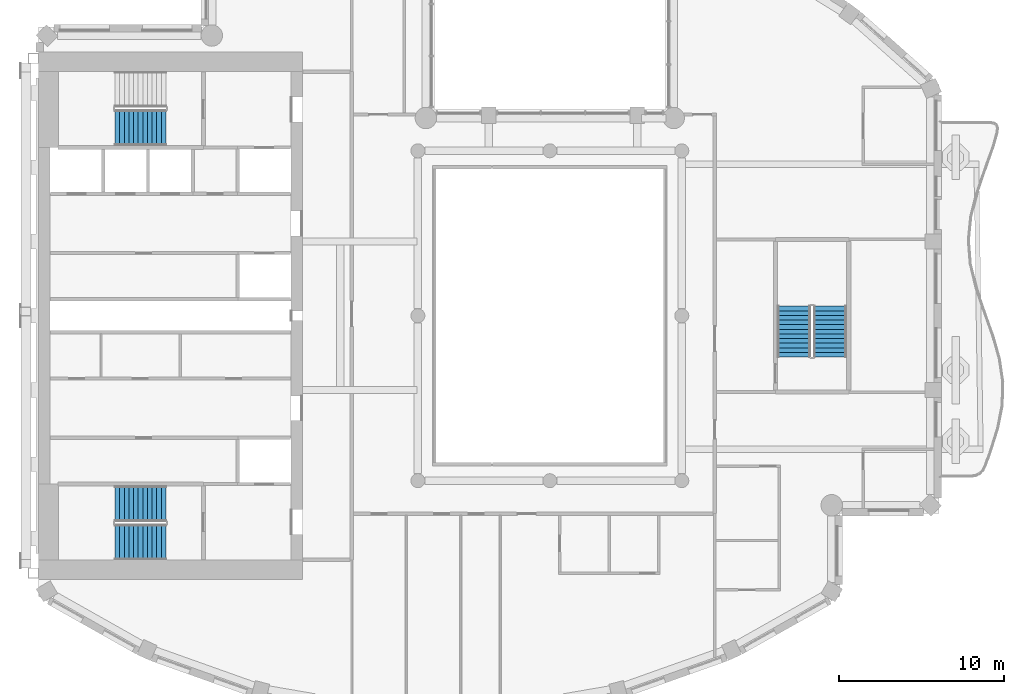
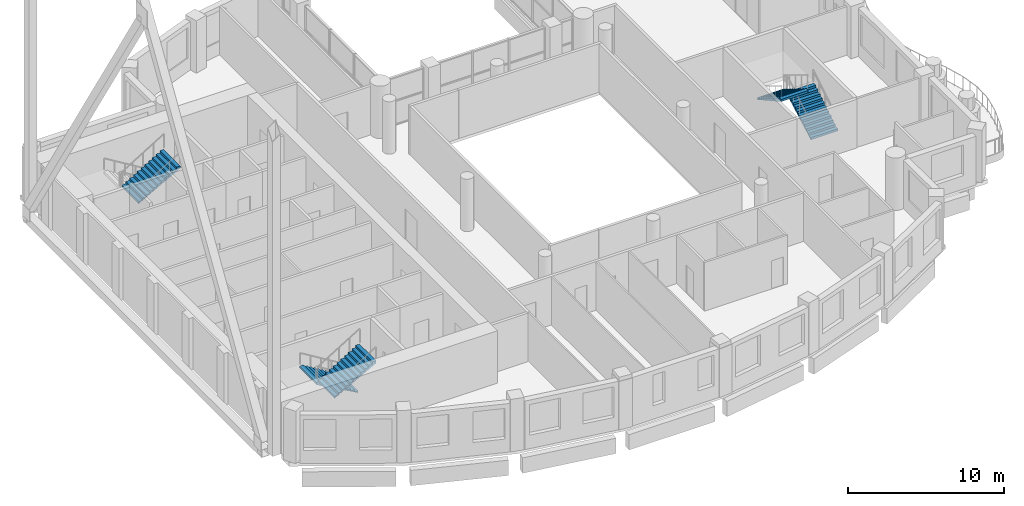
# One storey, part 12 of 18: 5 stair flights, 3 elements without a shape of their own.
"""IFC4 building model written with IfcOpenShell, lengths in metres."""

from ifc_helpers import new_model, si_unit, direction, frame, origin, place, context, subcontext, project, spatial, triangles, material, type_object, element, aggregate, save


model = new_model("IFC4")

# Units and contexts
model_context = context("Model", 3, precision=1e-05, world=origin(), true_north=direction((0.0, 1.0)))
body_context = subcontext(model_context, "Body", "Model", "MODEL_VIEW")
ifc_project = project(units=[si_unit("LENGTHUNIT", "METRE"), si_unit("AREAUNIT", "SQUARE_METRE"), si_unit("VOLUMEUNIT", "CUBIC_METRE"), si_unit("PLANEANGLEUNIT", "RADIAN"), si_unit("MASSUNIT", "GRAM", prefix="KILO")], contexts=[model_context])

# Site, building, storey
site_placement = place(None, origin())
site = spatial("IfcSite", under=ifc_project, at=site_placement, CompositionType="ELEMENT")
building_placement = place(site_placement, origin())
building = spatial("IfcBuilding", under=site, at=building_placement, Name="Cypress Arch Tower", CompositionType="ELEMENT")
storey_placement = place(building_placement, frame((0.0, 0.0, 288.5)))
storey = spatial("IfcBuildingStorey", under=building, at=storey_placement, Name="L65", CompositionType="ELEMENT", Elevation=288.5)

# Stair, stair flights
ifc_material_1 = material(Name="Concrete C40/50", Category="concrete")
stair_type_1 = type_object("IfcStairType", Name="Exit stair ES1708-200", PredefinedType="HALF_TURN_STAIR", material=ifc_material_1)
stair_1_placement = place(storey_placement, origin())
stair_1 = element("IfcStair", 1, at=stair_1_placement, inside=storey, type_object=stair_type_1, Name="L65 Exit stair C", PredefinedType="HALF_TURN_STAIR")
ifc_material_2 = material(Name="Concrete C40/50", Category="concrete")
stair_flight_type_1 = type_object("IfcStairFlightType", Name="Exit stair flight ES1708-200", PredefinedType="STRAIGHT", material=ifc_material_2)
stair_flight_1_placement = place(storey_placement, frame((18.0, -2.5, 0.0), z_axis=(0.0, 0.0, 1.0), x_axis=(0.0, 1.0, 0.0)))
stair_flight_1 = element("IfcStairFlight", 2, at=stair_flight_1_placement, type_object=stair_flight_type_1, Name="C flight 1", NumberOfRisers=12, NumberOfTreads=11, PredefinedType="STRAIGHT", RiserHeight=0.170833333, TreadLength=0.28, context=body_context, shape_type="Tessellation", body=[
    triangles([(0.0, -1.0, 0.0), (0.0, -1.0, 0.1708984375), (0.280029296875, -1.0, 0.1708984375), (0.280029296875, -1.0, 0.341552734375), (0.56005859375, -1.0, 0.341552734375), (0.56005859375, -1.0, 0.512451171875), (0.840087890625, -1.0, 0.512451171875), (0.840087890625, -1.0, 0.683349609375), (1.1201171875, -1.0, 0.683349609375), (1.1201171875, -1.0, 0.854248046875), (1.39990234375, -1.0, 0.854248046875), (1.39990234375, -1.0, 1.02490234375), (1.679931640625, -1.0, 1.02490234375), (1.679931640625, -1.0, 1.19580078125), (1.9599609375, -1.0, 1.19580078125), (1.9599609375, -1.0, 1.36669921875), (2.239990234375, -1.0, 1.36669921875), (2.239990234375, -1.0, 1.53759765625), (2.52001953125, -1.0, 1.53759765625), (2.52001953125, -1.0, 1.708251953125), (2.800048828125, -1.0, 1.708251953125), (2.800048828125, -1.0, 1.879150390625), (3.080078125, -1.0, 1.879150390625), (3.080078125, -1.0, 1.70361328125), (3.080078125, 1.0, 1.70361328125), (3.080078125, 1.0, 1.879150390625), (2.800048828125, 1.0, 1.879150390625), (2.800048828125, 1.0, 1.708251953125), (2.52001953125, 1.0, 1.708251953125), (2.52001953125, 1.0, 1.53759765625), (2.239990234375, 1.0, 1.53759765625), (2.239990234375, 1.0, 1.36669921875), (1.9599609375, 1.0, 1.36669921875), (1.9599609375, 1.0, 1.19580078125), (1.679931640625, 1.0, 1.19580078125), (1.679931640625, 1.0, 1.02490234375), (1.39990234375, 1.0, 1.02490234375), (1.39990234375, 1.0, 0.854248046875), (1.1201171875, 1.0, 0.854248046875), (1.1201171875, 1.0, 0.683349609375), (0.840087890625, 1.0, 0.683349609375), (0.840087890625, 1.0, 0.512451171875), (0.56005859375, 1.0, 0.512451171875), (0.56005859375, 1.0, 0.341552734375), (0.280029296875, 1.0, 0.341552734375), (0.280029296875, 1.0, 0.1708984375), (0.0, 1.0, 0.1708984375), (0.0, 1.0, 0.0), (3.080078125, 0.0, 1.879150390625), (3.080078125, 0.0, 1.70361328125), (2.800048828125, 0.0, 1.879150390625), (2.800048828125, 0.0, 1.708251953125), (2.52001953125, 0.0, 1.708251953125), (2.52001953125, 0.0, 1.53759765625), (2.239990234375, 0.0, 1.53759765625), (2.239990234375, 0.0, 1.36669921875), (1.9599609375, 0.0, 1.36669921875), (1.9599609375, 0.0, 1.19580078125), (1.679931640625, 0.0, 1.19580078125), (1.679931640625, 0.0, 1.02490234375), (1.39990234375, 0.0, 1.02490234375), (1.39990234375, 0.0, 0.854248046875), (1.1201171875, 0.0, 0.854248046875), (1.1201171875, 0.0, 0.683349609375), (0.840087890625, 0.0, 0.683349609375), (0.840087890625, 0.0, 0.512451171875), (0.56005859375, 0.0, 0.512451171875), (0.56005859375, 0.0, 0.341552734375), (0.280029296875, 0.0, 0.341552734375), (0.280029296875, 0.0, 0.1708984375), (0.0, 0.0, 0.1708984375), (0.0, 0.0, 0.0)], [[24, 23, 22], [11, 10, 9], [19, 18, 17], [17, 16, 15], [15, 14, 13], [9, 8, 7], [7, 6, 5], [3, 2, 1], [21, 20, 19], [13, 12, 11], [5, 4, 3], [24, 22, 21], [24, 21, 19], [24, 19, 17], [24, 17, 15], [24, 15, 13], [24, 13, 11], [24, 11, 9], [24, 9, 7], [24, 7, 5], [1, 24, 5], [5, 3, 1], [25, 27, 26], [38, 40, 39], [30, 32, 31], [32, 34, 33], [34, 36, 35], [40, 42, 41], [42, 44, 43], [46, 48, 47], [28, 30, 29], [36, 38, 37], [44, 46, 45], [25, 28, 27], [25, 30, 28], [25, 32, 30], [25, 34, 32], [25, 36, 34], [25, 38, 36], [25, 40, 38], [25, 42, 40], [25, 44, 42], [48, 44, 25], [44, 48, 46], [50, 49, 23], [50, 23, 24], [25, 26, 49], [25, 49, 50], [49, 51, 22], [49, 22, 23], [26, 27, 51], [26, 51, 49], [51, 52, 21], [51, 21, 22], [27, 28, 52], [27, 52, 51], [52, 53, 20], [52, 20, 21], [28, 29, 53], [28, 53, 52], [53, 54, 19], [53, 19, 20], [29, 30, 54], [29, 54, 53], [54, 55, 18], [54, 18, 19], [30, 31, 55], [30, 55, 54], [55, 56, 17], [55, 17, 18], [31, 32, 56], [31, 56, 55], [56, 57, 16], [56, 16, 17], [32, 33, 57], [32, 57, 56], [57, 58, 15], [57, 15, 16], [33, 34, 58], [33, 58, 57], [58, 59, 14], [58, 14, 15], [34, 35, 59], [34, 59, 58], [59, 60, 13], [59, 13, 14], [35, 36, 60], [35, 60, 59], [60, 61, 12], [60, 12, 13], [36, 37, 61], [36, 61, 60], [61, 62, 11], [61, 11, 12], [37, 38, 62], [37, 62, 61], [62, 63, 10], [62, 10, 11], [38, 39, 63], [38, 63, 62], [63, 64, 9], [63, 9, 10], [39, 40, 64], [39, 64, 63], [64, 65, 8], [64, 8, 9], [40, 41, 65], [40, 65, 64], [65, 66, 7], [65, 7, 8], [41, 42, 66], [41, 66, 65], [66, 67, 6], [66, 6, 7], [42, 43, 67], [42, 67, 66], [67, 68, 5], [67, 5, 6], [43, 44, 68], [43, 68, 67], [68, 69, 4], [68, 4, 5], [44, 45, 69], [44, 69, 68], [69, 70, 3], [69, 3, 4], [45, 46, 70], [45, 70, 69], [70, 71, 2], [70, 2, 3], [46, 47, 71], [46, 71, 70], [71, 72, 1], [71, 1, 2], [47, 48, 72], [47, 72, 71], [72, 50, 24], [72, 24, 1], [48, 25, 50], [48, 50, 72]], closed=True),
])
stair_flight_2_placement = place(storey_placement, frame((15.800048828125, 0.580078125, 2.050048828125), z_axis=(0.0, 0.0, 1.0), x_axis=(0.0, -1.0, 0.0)))
stair_flight_2 = element("IfcStairFlight", 3, at=stair_flight_2_placement, type_object=stair_flight_type_1, Name="C flight 2", NumberOfRisers=12, NumberOfTreads=11, PredefinedType="STRAIGHT", RiserHeight=0.170833333, TreadLength=0.28, context=body_context, shape_type="Tessellation", body=[
    triangles([(0.0, -1.0, 0.0), (0.0, -1.0, 0.1708984375), (0.280029296875, -1.0, 0.1708984375), (0.280029296875, -1.0, 0.341552734375), (0.56005859375, -1.0, 0.341552734375), (0.56005859375, -1.0, 0.512451171875), (0.840087890625, -1.0, 0.512451171875), (0.840087890625, -1.0, 0.683349609375), (1.1201171875, -1.0, 0.683349609375), (1.1201171875, -1.0, 0.854248046875), (1.39990234375, -1.0, 0.854248046875), (1.39990234375, -1.0, 1.02490234375), (1.679931640625, -1.0, 1.02490234375), (1.679931640625, -1.0, 1.19580078125), (1.9599609375, -1.0, 1.19580078125), (1.9599609375, -1.0, 1.36669921875), (2.239990234375, -1.0, 1.36669921875), (2.239990234375, -1.0, 1.53759765625), (2.52001953125, -1.0, 1.53759765625), (2.52001953125, -1.0, 1.708251953125), (2.800048828125, -1.0, 1.708251953125), (2.800048828125, -1.0, 1.879150390625), (3.080078125, -1.0, 1.879150390625), (3.080078125, -1.0, 1.70361328125), (3.080078125, 1.0, 1.70361328125), (3.080078125, 1.0, 1.879150390625), (2.800048828125, 1.0, 1.879150390625), (2.800048828125, 1.0, 1.708251953125), (2.52001953125, 1.0, 1.708251953125), (2.52001953125, 1.0, 1.53759765625), (2.239990234375, 1.0, 1.53759765625), (2.239990234375, 1.0, 1.36669921875), (1.9599609375, 1.0, 1.36669921875), (1.9599609375, 1.0, 1.19580078125), (1.679931640625, 1.0, 1.19580078125), (1.679931640625, 1.0, 1.02490234375), (1.39990234375, 1.0, 1.02490234375), (1.39990234375, 1.0, 0.854248046875), (1.1201171875, 1.0, 0.854248046875), (1.1201171875, 1.0, 0.683349609375), (0.840087890625, 1.0, 0.683349609375), (0.840087890625, 1.0, 0.512451171875), (0.56005859375, 1.0, 0.512451171875), (0.56005859375, 1.0, 0.341552734375), (0.280029296875, 1.0, 0.341552734375), (0.280029296875, 1.0, 0.1708984375), (0.0, 1.0, 0.1708984375), (0.0, 1.0, 0.0), (3.080078125, 0.0, 1.879150390625), (3.080078125, 0.0, 1.70361328125), (2.800048828125, 0.0, 1.879150390625), (2.800048828125, 0.0, 1.708251953125), (2.52001953125, 0.0, 1.708251953125), (2.52001953125, 0.0, 1.53759765625), (2.239990234375, 0.0, 1.53759765625), (2.239990234375, 0.0, 1.36669921875), (1.9599609375, 0.0, 1.36669921875), (1.9599609375, 0.0, 1.19580078125), (1.679931640625, 0.0, 1.19580078125), (1.679931640625, 0.0, 1.02490234375), (1.39990234375, 0.0, 1.02490234375), (1.39990234375, 0.0, 0.854248046875), (1.1201171875, 0.0, 0.854248046875), (1.1201171875, 0.0, 0.683349609375), (0.840087890625, 0.0, 0.683349609375), (0.840087890625, 0.0, 0.512451171875), (0.56005859375, 0.0, 0.512451171875), (0.56005859375, 0.0, 0.341552734375), (0.280029296875, 0.0, 0.341552734375), (0.280029296875, 0.0, 0.1708984375), (0.0, 0.0, 0.1708984375), (0.0, 0.0, 0.0)], [[24, 23, 22], [11, 10, 9], [19, 18, 17], [17, 16, 15], [15, 14, 13], [9, 8, 7], [7, 6, 5], [3, 2, 1], [21, 20, 19], [13, 12, 11], [5, 4, 3], [24, 22, 21], [24, 21, 19], [24, 19, 17], [24, 17, 15], [24, 15, 13], [24, 13, 11], [24, 11, 9], [24, 9, 7], [24, 7, 5], [1, 24, 5], [5, 3, 1], [25, 27, 26], [38, 40, 39], [30, 32, 31], [32, 34, 33], [34, 36, 35], [40, 42, 41], [42, 44, 43], [46, 48, 47], [28, 30, 29], [36, 38, 37], [44, 46, 45], [25, 28, 27], [25, 30, 28], [25, 32, 30], [25, 34, 32], [25, 36, 34], [25, 38, 36], [25, 40, 38], [25, 42, 40], [25, 44, 42], [48, 44, 25], [44, 48, 46], [50, 49, 23], [50, 23, 24], [25, 26, 49], [25, 49, 50], [49, 51, 22], [49, 22, 23], [26, 27, 51], [26, 51, 49], [51, 52, 21], [51, 21, 22], [27, 28, 52], [27, 52, 51], [52, 53, 20], [52, 20, 21], [28, 29, 53], [28, 53, 52], [53, 54, 19], [53, 19, 20], [29, 30, 54], [29, 54, 53], [54, 55, 18], [54, 18, 19], [30, 31, 55], [30, 55, 54], [55, 56, 17], [55, 17, 18], [31, 32, 56], [31, 56, 55], [56, 57, 16], [56, 16, 17], [32, 33, 57], [32, 57, 56], [57, 58, 15], [57, 15, 16], [33, 34, 58], [33, 58, 57], [58, 59, 14], [58, 14, 15], [34, 35, 59], [34, 59, 58], [59, 60, 13], [59, 13, 14], [35, 36, 60], [35, 60, 59], [60, 61, 12], [60, 12, 13], [36, 37, 61], [36, 61, 60], [61, 62, 11], [61, 11, 12], [37, 38, 62], [37, 62, 61], [62, 63, 10], [62, 10, 11], [38, 39, 63], [38, 63, 62], [63, 64, 9], [63, 9, 10], [39, 40, 64], [39, 64, 63], [64, 65, 8], [64, 8, 9], [40, 41, 65], [40, 65, 64], [65, 66, 7], [65, 7, 8], [41, 42, 66], [41, 66, 65], [66, 67, 6], [66, 6, 7], [42, 43, 67], [42, 67, 66], [67, 68, 5], [67, 5, 6], [43, 44, 68], [43, 68, 67], [68, 69, 4], [68, 4, 5], [44, 45, 69], [44, 69, 68], [69, 70, 3], [69, 3, 4], [45, 46, 70], [45, 70, 69], [70, 71, 2], [70, 2, 3], [46, 47, 71], [46, 71, 70], [71, 72, 1], [71, 1, 2], [47, 48, 72], [47, 72, 71], [72, 50, 24], [72, 24, 1], [48, 25, 50], [48, 50, 72]], closed=True),
])
aggregate(stair_1, [stair_flight_1, stair_flight_2])

ifc_material_3 = material(Name="Concrete C40/50", Category="concrete")
stair_type_2 = type_object("IfcStairType", Name="Exit stair ES1708-215", PredefinedType="HALF_TURN_STAIR", material=ifc_material_3)
stair_2_placement = place(storey_placement, origin())
stair_2 = element("IfcStair", 4, at=stair_2_placement, inside=storey, type_object=stair_type_2, Name="L65 Exit stair A", PredefinedType="HALF_TURN_STAIR")
ifc_material_4 = material(Name="Concrete C40/50", Category="concrete")
stair_flight_type_2 = type_object("IfcStairFlightType", Name="Exit stair flight ES1708-215", PredefinedType="STRAIGHT", material=ifc_material_4)
stair_flight_3_placement = place(storey_placement, frame((-22.27490234375, -11.39990234375, 0.0), z_axis=(0.0, 0.0, 1.0), x_axis=(-1.0, 0.0, 0.0)))
stair_flight_3 = element("IfcStairFlight", 5, at=stair_flight_3_placement, type_object=stair_flight_type_2, Name="A flight 1", NumberOfRisers=12, NumberOfTreads=11, PredefinedType="STRAIGHT", RiserHeight=0.170833333, TreadLength=0.28, context=body_context, shape_type="Tessellation", body=[
    triangles([(0.0, -1.074951171875, 0.0), (0.000244140625, -1.074951171875, 0.01904296875), (0.000244140625, -1.074951171875, 0.0380859375), (0.00048828125, -1.074951171875, 0.056884765625), (0.00048828125, -1.074951171875, 0.075927734375), (0.00048828125, -1.074951171875, 0.094970703125), (0.00048828125, -1.074951171875, 0.114013671875), (0.000244140625, -1.074951171875, 0.1328125), (0.000244140625, -1.074951171875, 0.15185546875), (0.0, -1.074951171875, 0.1708984375), (0.280029296875, -1.074951171875, 0.1708984375), (0.280029296875, -1.074951171875, 0.341552734375), (0.56005859375, -1.074951171875, 0.341552734375), (0.56005859375, -1.074951171875, 0.512451171875), (0.840087890625, -1.074951171875, 0.512451171875), (0.840087890625, -1.074951171875, 0.683349609375), (1.1201171875, -1.074951171875, 0.683349609375), (1.1201171875, -1.074951171875, 0.854248046875), (1.39990234375, -1.074951171875, 0.854248046875), (1.39990234375, -1.074951171875, 1.02490234375), (1.679931640625, -1.074951171875, 1.02490234375), (1.679931640625, -1.074951171875, 1.19580078125), (1.9599609375, -1.074951171875, 1.19580078125), (1.9599609375, -1.074951171875, 1.36669921875), (2.239990234375, -1.074951171875, 1.36669921875), (2.239990234375, -1.074951171875, 1.53759765625), (2.52001953125, -1.074951171875, 1.53759765625), (2.52001953125, -1.074951171875, 1.708251953125), (2.800048828125, -1.074951171875, 1.708251953125), (2.800048828125, -1.074951171875, 1.879150390625), (3.080078125, -1.074951171875, 1.879150390625), (3.079833984375, -1.074951171875, 1.859619140625), (3.079833984375, -1.074951171875, 1.840087890625), (3.07958984375, -1.074951171875, 1.820556640625), (3.07958984375, -1.074951171875, 1.801025390625), (3.07958984375, -1.074951171875, 1.78173828125), (3.07958984375, -1.074951171875, 1.76220703125), (3.079833984375, -1.074951171875, 1.74267578125), (3.079833984375, -1.074951171875, 1.72314453125), (3.080078125, -1.074951171875, 1.70361328125), (3.080078125, 1.074951171875, 1.70361328125), (3.079833984375, 1.074951171875, 1.72314453125), (3.079833984375, 1.074951171875, 1.74267578125), (3.07958984375, 1.074951171875, 1.76220703125), (3.07958984375, 1.074951171875, 1.78173828125), (3.07958984375, 1.074951171875, 1.801025390625), (3.07958984375, 1.074951171875, 1.820556640625), (3.079833984375, 1.074951171875, 1.840087890625), (3.079833984375, 1.074951171875, 1.859619140625), (3.080078125, 1.074951171875, 1.879150390625), (2.800048828125, 1.074951171875, 1.879150390625), (2.800048828125, 1.074951171875, 1.708251953125), (2.52001953125, 1.074951171875, 1.708251953125), (2.52001953125, 1.074951171875, 1.53759765625), (2.239990234375, 1.074951171875, 1.53759765625), (2.239990234375, 1.074951171875, 1.36669921875), (1.9599609375, 1.074951171875, 1.36669921875), (1.9599609375, 1.074951171875, 1.19580078125), (1.679931640625, 1.074951171875, 1.19580078125), (1.679931640625, 1.074951171875, 1.02490234375), (1.39990234375, 1.074951171875, 1.02490234375), (1.39990234375, 1.074951171875, 0.854248046875), (1.1201171875, 1.074951171875, 0.854248046875), (1.1201171875, 1.074951171875, 0.683349609375), (0.840087890625, 1.074951171875, 0.683349609375), (0.840087890625, 1.074951171875, 0.512451171875), (0.56005859375, 1.074951171875, 0.512451171875), (0.56005859375, 1.074951171875, 0.341552734375), (0.280029296875, 1.074951171875, 0.341552734375), (0.280029296875, 1.074951171875, 0.1708984375), (0.0, 1.074951171875, 0.1708984375), (0.000244140625, 1.074951171875, 0.15185546875), (0.000244140625, 1.074951171875, 0.1328125), (0.00048828125, 1.074951171875, 0.114013671875), (0.00048828125, 1.074951171875, 0.094970703125), (0.00048828125, 1.074951171875, 0.075927734375), (0.00048828125, 1.074951171875, 0.056884765625), (0.000244140625, 1.074951171875, 0.0380859375), (0.000244140625, 1.074951171875, 0.01904296875), (0.0, 1.074951171875, 0.0)], [[40, 39, 30], [39, 38, 30], [38, 37, 30], [37, 36, 30], [36, 35, 30], [35, 34, 30], [34, 33, 30], [33, 32, 30], [32, 31, 30], [19, 18, 17], [27, 26, 25], [25, 24, 23], [23, 22, 21], [17, 16, 15], [15, 14, 13], [10, 9, 11], [9, 8, 11], [8, 7, 11], [7, 6, 11], [6, 5, 11], [5, 4, 11], [4, 3, 11], [3, 2, 11], [2, 1, 11], [29, 28, 27], [21, 20, 19], [13, 12, 11], [40, 30, 29], [40, 29, 27], [40, 27, 25], [40, 25, 23], [40, 23, 21], [40, 21, 19], [40, 19, 17], [40, 17, 15], [40, 15, 13], [1, 40, 13], [13, 11, 1], [41, 51, 42], [42, 51, 43], [43, 51, 44], [44, 51, 45], [45, 51, 46], [46, 51, 47], [47, 51, 48], [48, 51, 49], [49, 51, 50], [62, 64, 63], [54, 56, 55], [56, 58, 57], [58, 60, 59], [64, 66, 65], [66, 68, 67], [71, 70, 72], [72, 70, 73], [73, 70, 74], [74, 70, 75], [75, 70, 76], [76, 70, 77], [77, 70, 78], [78, 70, 79], [79, 70, 80], [52, 54, 53], [60, 62, 61], [68, 70, 69], [41, 52, 51], [41, 54, 52], [41, 56, 54], [41, 58, 56], [41, 60, 58], [41, 62, 60], [41, 64, 62], [41, 66, 64], [41, 68, 66], [80, 68, 41], [68, 80, 70], [41, 42, 39], [41, 39, 40], [42, 43, 38], [42, 38, 39], [43, 44, 37], [43, 37, 38], [44, 45, 36], [44, 36, 37], [45, 46, 35], [45, 35, 36], [46, 47, 34], [46, 34, 35], [47, 48, 33], [47, 33, 34], [48, 49, 32], [48, 32, 33], [49, 50, 31], [49, 31, 32], [50, 51, 30], [50, 30, 31], [51, 52, 29], [51, 29, 30], [52, 53, 28], [52, 28, 29], [53, 54, 27], [53, 27, 28], [54, 55, 26], [54, 26, 27], [55, 56, 25], [55, 25, 26], [56, 57, 24], [56, 24, 25], [57, 58, 23], [57, 23, 24], [58, 59, 22], [58, 22, 23], [59, 60, 21], [59, 21, 22], [60, 61, 20], [60, 20, 21], [61, 62, 19], [61, 19, 20], [62, 63, 18], [62, 18, 19], [63, 64, 17], [63, 17, 18], [64, 65, 16], [64, 16, 17], [65, 66, 15], [65, 15, 16], [66, 67, 14], [66, 14, 15], [67, 68, 13], [67, 13, 14], [68, 69, 12], [68, 12, 13], [69, 70, 11], [69, 11, 12], [70, 71, 10], [70, 10, 11], [71, 72, 9], [71, 9, 10], [72, 73, 8], [72, 8, 9], [73, 74, 7], [73, 7, 8], [74, 75, 6], [74, 6, 7], [75, 76, 5], [75, 5, 6], [76, 77, 4], [76, 4, 5], [77, 78, 3], [77, 3, 4], [78, 79, 2], [78, 2, 3], [79, 80, 1], [79, 1, 2], [80, 41, 40], [80, 40, 1]], closed=True),
])
stair_flight_4_placement = place(storey_placement, frame((-25.35498046875, -13.72509765625, 2.050048828125), z_axis=(0.0, 0.0, 1.0), x_axis=(1.0, 0.0, 0.0)))
stair_flight_4 = element("IfcStairFlight", 6, at=stair_flight_4_placement, type_object=stair_flight_type_2, Name="A flight 2", NumberOfRisers=12, NumberOfTreads=11, PredefinedType="STRAIGHT", RiserHeight=0.170833333, TreadLength=0.28, context=body_context, shape_type="Tessellation", body=[
    triangles([(0.0, -1.074951171875, 0.0), (0.000244140625, -1.074951171875, 0.01904296875), (0.000244140625, -1.074951171875, 0.0380859375), (0.00048828125, -1.074951171875, 0.056884765625), (0.00048828125, -1.074951171875, 0.075927734375), (0.00048828125, -1.074951171875, 0.094970703125), (0.00048828125, -1.074951171875, 0.114013671875), (0.000244140625, -1.074951171875, 0.1328125), (0.000244140625, -1.074951171875, 0.15185546875), (0.0, -1.074951171875, 0.1708984375), (0.280029296875, -1.074951171875, 0.1708984375), (0.280029296875, -1.074951171875, 0.341552734375), (0.56005859375, -1.074951171875, 0.341552734375), (0.56005859375, -1.074951171875, 0.512451171875), (0.840087890625, -1.074951171875, 0.512451171875), (0.840087890625, -1.074951171875, 0.683349609375), (1.1201171875, -1.074951171875, 0.683349609375), (1.1201171875, -1.074951171875, 0.854248046875), (1.39990234375, -1.074951171875, 0.854248046875), (1.39990234375, -1.074951171875, 1.02490234375), (1.679931640625, -1.074951171875, 1.02490234375), (1.679931640625, -1.074951171875, 1.19580078125), (1.9599609375, -1.074951171875, 1.19580078125), (1.9599609375, -1.074951171875, 1.36669921875), (2.239990234375, -1.074951171875, 1.36669921875), (2.239990234375, -1.074951171875, 1.53759765625), (2.52001953125, -1.074951171875, 1.53759765625), (2.52001953125, -1.074951171875, 1.708251953125), (2.800048828125, -1.074951171875, 1.708251953125), (2.800048828125, -1.074951171875, 1.879150390625), (3.080078125, -1.074951171875, 1.879150390625), (3.079833984375, -1.074951171875, 1.859619140625), (3.079833984375, -1.074951171875, 1.840087890625), (3.07958984375, -1.074951171875, 1.820556640625), (3.07958984375, -1.074951171875, 1.801025390625), (3.07958984375, -1.074951171875, 1.78173828125), (3.07958984375, -1.074951171875, 1.76220703125), (3.079833984375, -1.074951171875, 1.74267578125), (3.079833984375, -1.074951171875, 1.72314453125), (3.080078125, -1.074951171875, 1.70361328125), (3.080078125, 1.074951171875, 1.70361328125), (3.079833984375, 1.074951171875, 1.72314453125), (3.079833984375, 1.074951171875, 1.74267578125), (3.07958984375, 1.074951171875, 1.76220703125), (3.07958984375, 1.074951171875, 1.78173828125), (3.07958984375, 1.074951171875, 1.801025390625), (3.07958984375, 1.074951171875, 1.820556640625), (3.079833984375, 1.074951171875, 1.840087890625), (3.079833984375, 1.074951171875, 1.859619140625), (3.080078125, 1.074951171875, 1.879150390625), (2.800048828125, 1.074951171875, 1.879150390625), (2.800048828125, 1.074951171875, 1.708251953125), (2.52001953125, 1.074951171875, 1.708251953125), (2.52001953125, 1.074951171875, 1.53759765625), (2.239990234375, 1.074951171875, 1.53759765625), (2.239990234375, 1.074951171875, 1.36669921875), (1.9599609375, 1.074951171875, 1.36669921875), (1.9599609375, 1.074951171875, 1.19580078125), (1.679931640625, 1.074951171875, 1.19580078125), (1.679931640625, 1.074951171875, 1.02490234375), (1.39990234375, 1.074951171875, 1.02490234375), (1.39990234375, 1.074951171875, 0.854248046875), (1.1201171875, 1.074951171875, 0.854248046875), (1.1201171875, 1.074951171875, 0.683349609375), (0.840087890625, 1.074951171875, 0.683349609375), (0.840087890625, 1.074951171875, 0.512451171875), (0.56005859375, 1.074951171875, 0.512451171875), (0.56005859375, 1.074951171875, 0.341552734375), (0.280029296875, 1.074951171875, 0.341552734375), (0.280029296875, 1.074951171875, 0.1708984375), (0.0, 1.074951171875, 0.1708984375), (0.000244140625, 1.074951171875, 0.15185546875), (0.000244140625, 1.074951171875, 0.1328125), (0.00048828125, 1.074951171875, 0.114013671875), (0.00048828125, 1.074951171875, 0.094970703125), (0.00048828125, 1.074951171875, 0.075927734375), (0.00048828125, 1.074951171875, 0.056884765625), (0.000244140625, 1.074951171875, 0.0380859375), (0.000244140625, 1.074951171875, 0.01904296875), (0.0, 1.074951171875, 0.0)], [[40, 39, 30], [39, 38, 30], [38, 37, 30], [37, 36, 30], [36, 35, 30], [35, 34, 30], [34, 33, 30], [33, 32, 30], [32, 31, 30], [19, 18, 17], [27, 26, 25], [25, 24, 23], [23, 22, 21], [17, 16, 15], [15, 14, 13], [10, 9, 11], [9, 8, 11], [8, 7, 11], [7, 6, 11], [6, 5, 11], [5, 4, 11], [4, 3, 11], [3, 2, 11], [2, 1, 11], [29, 28, 27], [21, 20, 19], [13, 12, 11], [40, 30, 29], [40, 29, 27], [40, 27, 25], [40, 25, 23], [40, 23, 21], [40, 21, 19], [40, 19, 17], [40, 17, 15], [40, 15, 13], [1, 40, 13], [13, 11, 1], [41, 51, 42], [42, 51, 43], [43, 51, 44], [44, 51, 45], [45, 51, 46], [46, 51, 47], [47, 51, 48], [48, 51, 49], [49, 51, 50], [62, 64, 63], [54, 56, 55], [56, 58, 57], [58, 60, 59], [64, 66, 65], [66, 68, 67], [71, 70, 72], [72, 70, 73], [73, 70, 74], [74, 70, 75], [75, 70, 76], [76, 70, 77], [77, 70, 78], [78, 70, 79], [79, 70, 80], [52, 54, 53], [60, 62, 61], [68, 70, 69], [41, 52, 51], [41, 54, 52], [41, 56, 54], [41, 58, 56], [41, 60, 58], [41, 62, 60], [41, 64, 62], [41, 66, 64], [41, 68, 66], [80, 68, 41], [68, 80, 70], [41, 42, 39], [41, 39, 40], [42, 43, 38], [42, 38, 39], [43, 44, 37], [43, 37, 38], [44, 45, 36], [44, 36, 37], [45, 46, 35], [45, 35, 36], [46, 47, 34], [46, 34, 35], [47, 48, 33], [47, 33, 34], [48, 49, 32], [48, 32, 33], [49, 50, 31], [49, 31, 32], [50, 51, 30], [50, 30, 31], [51, 52, 29], [51, 29, 30], [52, 53, 28], [52, 28, 29], [53, 54, 27], [53, 27, 28], [54, 55, 26], [54, 26, 27], [55, 56, 25], [55, 25, 26], [56, 57, 24], [56, 24, 25], [57, 58, 23], [57, 23, 24], [58, 59, 22], [58, 22, 23], [59, 60, 21], [59, 21, 22], [60, 61, 20], [60, 20, 21], [61, 62, 19], [61, 19, 20], [62, 63, 18], [62, 18, 19], [63, 64, 17], [63, 17, 18], [64, 65, 16], [64, 16, 17], [65, 66, 15], [65, 15, 16], [66, 67, 14], [66, 14, 15], [67, 68, 13], [67, 13, 14], [68, 69, 12], [68, 12, 13], [69, 70, 11], [69, 11, 12], [70, 71, 10], [70, 10, 11], [71, 72, 9], [71, 9, 10], [72, 73, 8], [72, 8, 9], [73, 74, 7], [73, 7, 8], [74, 75, 6], [74, 6, 7], [75, 76, 5], [75, 5, 6], [76, 77, 4], [76, 4, 5], [77, 78, 3], [77, 3, 4], [78, 79, 2], [78, 2, 3], [79, 80, 1], [79, 1, 2], [80, 41, 40], [80, 40, 1]], closed=True),
])
aggregate(stair_2, [stair_flight_3, stair_flight_4])

# Stair, stair flight
stair_3_placement = place(storey_placement, origin())
stair_3 = element("IfcStair", 7, at=stair_3_placement, inside=storey, type_object=stair_type_2, Name="L65 Exit stair B", PredefinedType="HALF_TURN_STAIR")
stair_flight_5_placement = place(storey_placement, frame((-25.35498046875, 11.39990234375, 2.050048828125), z_axis=(0.0, 0.0, 1.0), x_axis=(1.0, 0.0, 0.0)))
stair_flight_5 = element("IfcStairFlight", 8, at=stair_flight_5_placement, type_object=stair_flight_type_2, Name="B flight 2", NumberOfRisers=12, NumberOfTreads=11, PredefinedType="STRAIGHT", RiserHeight=0.170833333, TreadLength=0.28, context=body_context, shape_type="Tessellation", body=[
    triangles([(0.0, -1.074951171875, 0.0), (0.000244140625, -1.074951171875, 0.01904296875), (0.000244140625, -1.074951171875, 0.0380859375), (0.00048828125, -1.074951171875, 0.056884765625), (0.00048828125, -1.074951171875, 0.075927734375), (0.00048828125, -1.074951171875, 0.094970703125), (0.00048828125, -1.074951171875, 0.114013671875), (0.000244140625, -1.074951171875, 0.1328125), (0.000244140625, -1.074951171875, 0.15185546875), (0.0, -1.074951171875, 0.1708984375), (0.280029296875, -1.074951171875, 0.1708984375), (0.280029296875, -1.074951171875, 0.341552734375), (0.56005859375, -1.074951171875, 0.341552734375), (0.56005859375, -1.074951171875, 0.512451171875), (0.840087890625, -1.074951171875, 0.512451171875), (0.840087890625, -1.074951171875, 0.683349609375), (1.1201171875, -1.074951171875, 0.683349609375), (1.1201171875, -1.074951171875, 0.854248046875), (1.39990234375, -1.074951171875, 0.854248046875), (1.39990234375, -1.074951171875, 1.02490234375), (1.679931640625, -1.074951171875, 1.02490234375), (1.679931640625, -1.074951171875, 1.19580078125), (1.9599609375, -1.074951171875, 1.19580078125), (1.9599609375, -1.074951171875, 1.36669921875), (2.239990234375, -1.074951171875, 1.36669921875), (2.239990234375, -1.074951171875, 1.53759765625), (2.52001953125, -1.074951171875, 1.53759765625), (2.52001953125, -1.074951171875, 1.708251953125), (2.800048828125, -1.074951171875, 1.708251953125), (2.800048828125, -1.074951171875, 1.879150390625), (3.080078125, -1.074951171875, 1.879150390625), (3.079833984375, -1.074951171875, 1.859619140625), (3.079833984375, -1.074951171875, 1.840087890625), (3.07958984375, -1.074951171875, 1.820556640625), (3.07958984375, -1.074951171875, 1.801025390625), (3.07958984375, -1.074951171875, 1.78173828125), (3.07958984375, -1.074951171875, 1.76220703125), (3.079833984375, -1.074951171875, 1.74267578125), (3.079833984375, -1.074951171875, 1.72314453125), (3.080078125, -1.074951171875, 1.70361328125), (3.080078125, 1.074951171875, 1.70361328125), (3.079833984375, 1.074951171875, 1.72314453125), (3.079833984375, 1.074951171875, 1.74267578125), (3.07958984375, 1.074951171875, 1.76220703125), (3.07958984375, 1.074951171875, 1.78173828125), (3.07958984375, 1.074951171875, 1.801025390625), (3.07958984375, 1.074951171875, 1.820556640625), (3.079833984375, 1.074951171875, 1.840087890625), (3.079833984375, 1.074951171875, 1.859619140625), (3.080078125, 1.074951171875, 1.879150390625), (2.800048828125, 1.074951171875, 1.879150390625), (2.800048828125, 1.074951171875, 1.708251953125), (2.52001953125, 1.074951171875, 1.708251953125), (2.52001953125, 1.074951171875, 1.53759765625), (2.239990234375, 1.074951171875, 1.53759765625), (2.239990234375, 1.074951171875, 1.36669921875), (1.9599609375, 1.074951171875, 1.36669921875), (1.9599609375, 1.074951171875, 1.19580078125), (1.679931640625, 1.074951171875, 1.19580078125), (1.679931640625, 1.074951171875, 1.02490234375), (1.39990234375, 1.074951171875, 1.02490234375), (1.39990234375, 1.074951171875, 0.854248046875), (1.1201171875, 1.074951171875, 0.854248046875), (1.1201171875, 1.074951171875, 0.683349609375), (0.840087890625, 1.074951171875, 0.683349609375), (0.840087890625, 1.074951171875, 0.512451171875), (0.56005859375, 1.074951171875, 0.512451171875), (0.56005859375, 1.074951171875, 0.341552734375), (0.280029296875, 1.074951171875, 0.341552734375), (0.280029296875, 1.074951171875, 0.1708984375), (0.0, 1.074951171875, 0.1708984375), (0.000244140625, 1.074951171875, 0.15185546875), (0.000244140625, 1.074951171875, 0.1328125), (0.00048828125, 1.074951171875, 0.114013671875), (0.00048828125, 1.074951171875, 0.094970703125), (0.00048828125, 1.074951171875, 0.075927734375), (0.00048828125, 1.074951171875, 0.056884765625), (0.000244140625, 1.074951171875, 0.0380859375), (0.000244140625, 1.074951171875, 0.01904296875), (0.0, 1.074951171875, 0.0)], [[40, 39, 30], [39, 38, 30], [38, 37, 30], [37, 36, 30], [36, 35, 30], [35, 34, 30], [34, 33, 30], [33, 32, 30], [32, 31, 30], [19, 18, 17], [27, 26, 25], [25, 24, 23], [23, 22, 21], [17, 16, 15], [15, 14, 13], [10, 9, 11], [9, 8, 11], [8, 7, 11], [7, 6, 11], [6, 5, 11], [5, 4, 11], [4, 3, 11], [3, 2, 11], [2, 1, 11], [29, 28, 27], [21, 20, 19], [13, 12, 11], [40, 30, 29], [40, 29, 27], [40, 27, 25], [40, 25, 23], [40, 23, 21], [40, 21, 19], [40, 19, 17], [40, 17, 15], [40, 15, 13], [1, 40, 13], [13, 11, 1], [41, 51, 42], [42, 51, 43], [43, 51, 44], [44, 51, 45], [45, 51, 46], [46, 51, 47], [47, 51, 48], [48, 51, 49], [49, 51, 50], [62, 64, 63], [54, 56, 55], [56, 58, 57], [58, 60, 59], [64, 66, 65], [66, 68, 67], [71, 70, 72], [72, 70, 73], [73, 70, 74], [74, 70, 75], [75, 70, 76], [76, 70, 77], [77, 70, 78], [78, 70, 79], [79, 70, 80], [52, 54, 53], [60, 62, 61], [68, 70, 69], [41, 52, 51], [41, 54, 52], [41, 56, 54], [41, 58, 56], [41, 60, 58], [41, 62, 60], [41, 64, 62], [41, 66, 64], [41, 68, 66], [80, 68, 41], [68, 80, 70], [41, 42, 39], [41, 39, 40], [42, 43, 38], [42, 38, 39], [43, 44, 37], [43, 37, 38], [44, 45, 36], [44, 36, 37], [45, 46, 35], [45, 35, 36], [46, 47, 34], [46, 34, 35], [47, 48, 33], [47, 33, 34], [48, 49, 32], [48, 32, 33], [49, 50, 31], [49, 31, 32], [50, 51, 30], [50, 30, 31], [51, 52, 29], [51, 29, 30], [52, 53, 28], [52, 28, 29], [53, 54, 27], [53, 27, 28], [54, 55, 26], [54, 26, 27], [55, 56, 25], [55, 25, 26], [56, 57, 24], [56, 24, 25], [57, 58, 23], [57, 23, 24], [58, 59, 22], [58, 22, 23], [59, 60, 21], [59, 21, 22], [60, 61, 20], [60, 20, 21], [61, 62, 19], [61, 19, 20], [62, 63, 18], [62, 18, 19], [63, 64, 17], [63, 17, 18], [64, 65, 16], [64, 16, 17], [65, 66, 15], [65, 15, 16], [66, 67, 14], [66, 14, 15], [67, 68, 13], [67, 13, 14], [68, 69, 12], [68, 12, 13], [69, 70, 11], [69, 11, 12], [70, 71, 10], [70, 10, 11], [71, 72, 9], [71, 9, 10], [72, 73, 8], [72, 8, 9], [73, 74, 7], [73, 7, 8], [74, 75, 6], [74, 6, 7], [75, 76, 5], [75, 5, 6], [76, 77, 4], [76, 4, 5], [77, 78, 3], [77, 3, 4], [78, 79, 2], [78, 2, 3], [79, 80, 1], [79, 1, 2], [80, 41, 40], [80, 40, 1]], closed=True),
])
aggregate(stair_3, [stair_flight_5])

save(model, "model.ifc")
